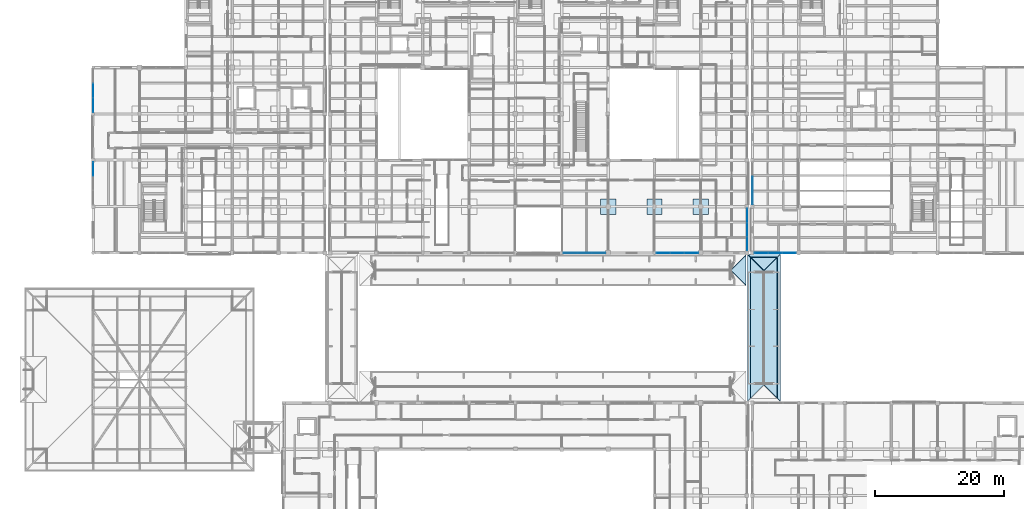
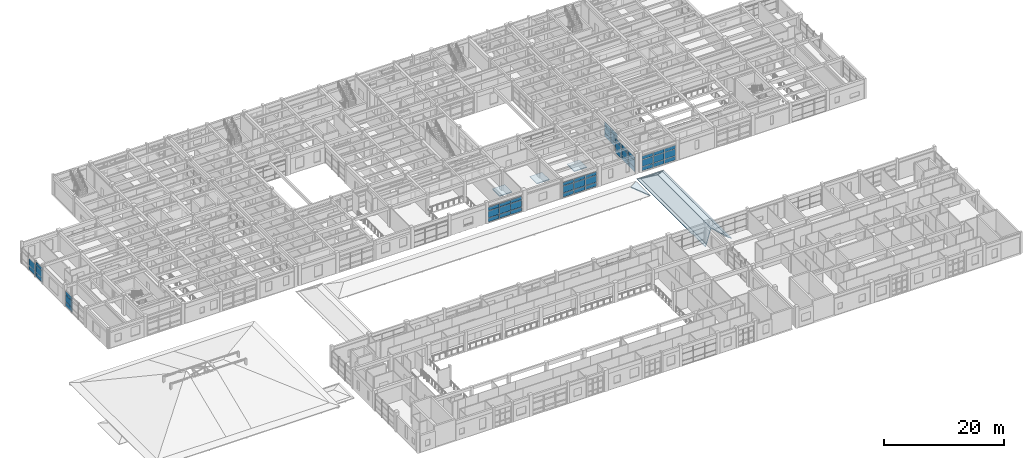
# One storey, part 63 of 110: 50 plates, 10 slabs, 9 elements without a shape of their own.
"""IFC4 building model written with IfcOpenShell, lengths in metres."""

from ifc_helpers import new_model, si_unit, direction, frame, origin, origin_2d, place, context, subcontext, project, spatial, polyline, rectangle, outline, extrude, material, layer, layer_set, type_object, element, aggregate, save


model = new_model("IFC4")

# Units and contexts
model_context = context("Model", 3, precision=1e-05, world=origin(), true_north=direction((0.0, 1.0)))
body_context = subcontext(model_context, "Body", "Model", "MODEL_VIEW")
ifc_project = project(units=[si_unit("LENGTHUNIT", "METRE"), si_unit("AREAUNIT", "SQUARE_METRE"), si_unit("VOLUMEUNIT", "CUBIC_METRE"), si_unit("PLANEANGLEUNIT", "RADIAN"), si_unit("MASSUNIT", "GRAM", prefix="KILO")], contexts=[model_context])

# Site, building, storey
site_placement = place(None, origin())
site = spatial("IfcSite", under=ifc_project, at=site_placement, CompositionType="ELEMENT")
building_placement = place(site_placement, origin())
building = spatial("IfcBuilding", under=site, at=building_placement, Name="Steenspoor Specialist Clinic", CompositionType="ELEMENT")
storey_placement = place(building_placement, frame((0.0, 0.0, 4.800048828125)))
storey = spatial("IfcBuildingStorey", under=building, at=storey_placement, Name="L01", CompositionType="ELEMENT", Elevation=4.800048828125)

# Curtain wall, plates
ifc_material_1 = material(Name="Thermally broken aluminium and low-emissivity glass", Category="aluminium")
curtain_wall_type_1 = type_object("IfcCurtainWallType", Name="CW-WLK-520X340", PredefinedType="USERDEFINED", material=ifc_material_1)
curtain_wall_1_placement = place(storey_placement, origin())
curtain_wall_1 = element("IfcCurtainWall", 1, at=curtain_wall_1_placement, inside=storey, type_object=curtain_wall_type_1, Name="Unitised Curtain Wall CW-V5-L01-141", ObjectType="UNITISED GLAZING", PredefinedType="USERDEFINED")
ifc_material_2 = material(Name="Double low-emissivity insulated glass", Category="glass")
ifc_layer_1 = layer(ifc_material_2, 0.035888671875)
ifc_layer_set_1 = layer_set([ifc_layer_1], Name="Double low-emissivity insulated glass")
plate_type_1 = type_object("IfcPlateType", Name="CW-PAN-GL36", PredefinedType="CURTAIN_PANEL", material=ifc_layer_set_1)
plate_1_placement = place(storey_placement, frame((15.60009765625, 78.171142578125, 0.070068359375), z_axis=(0.0, 0.0, 1.0), x_axis=(0.0, 1.0, 0.0)))
plate_1 = element("IfcPlate", 2, at=plate_1_placement, type_object=plate_type_1, Name="CW-21 panel 3.1", PredefinedType="CURTAIN_PANEL", context=body_context, shape_type="SweptSolid", body=[
    extrude(rectangle(XDim=2.12744140625, YDim=0.035888671875, at=origin_2d()), origin(), (0.0, 0.0, 1.0), 0.794921875),
])
plate_2_placement = place(storey_placement, frame((15.60009765625, 78.171142578125, 0.93505859375), z_axis=(0.0, 0.0, 1.0), x_axis=(0.0, 1.0, 0.0)))
plate_2 = element("IfcPlate", 3, at=plate_2_placement, type_object=plate_type_1, Name="CW-21 panel 3.2", PredefinedType="CURTAIN_PANEL", context=body_context, shape_type="SweptSolid", body=[
    extrude(rectangle(XDim=2.12744140625, YDim=0.035888671875, at=origin_2d()), origin(), (0.0, 0.0, 1.0), 1.3798828125),
])
plate_3_placement = place(storey_placement, frame((15.60009765625, 78.171142578125, 2.384765625), z_axis=(0.0, 0.0, 1.0), x_axis=(0.0, 1.0, 0.0)))
plate_3 = element("IfcPlate", 4, at=plate_3_placement, type_object=plate_type_1, Name="CW-21 panel 3.3", PredefinedType="CURTAIN_PANEL", context=body_context, shape_type="SweptSolid", body=[
    extrude(rectangle(XDim=2.12744140625, YDim=0.035888671875, at=origin_2d()), origin(), (0.0, 0.0, 1.0), 0.675048828125),
])
aggregate(curtain_wall_1, [plate_1, plate_2, plate_3])

curtain_wall_type_2 = type_object("IfcCurtainWallType", Name="CW-TYP-420X355", PredefinedType="USERDEFINED", material=ifc_material_1)
curtain_wall_2_placement = place(storey_placement, origin())
curtain_wall_2 = element("IfcCurtainWall", 5, at=curtain_wall_2_placement, inside=storey, type_object=curtain_wall_type_2, Name="Unitised Curtain Wall CW-V4-L01-061", ObjectType="UNITISED GLAZING", PredefinedType="USERDEFINED")
ifc_material_3 = material(Name="Triple acoustic laminated low-emissivity glass", Category="glass")
ifc_layer_2 = layer(ifc_material_3, 0.048095703125)
ifc_layer_set_2 = layer_set([ifc_layer_2], Name="Triple acoustic laminated low-emissivity glass")
plate_type_2 = type_object("IfcPlateType", Name="CW-PAN-GL48", PredefinedType="CURTAIN_PANEL", material=ifc_layer_set_2)
plate_4_placement = place(storey_placement, frame((108.530029296875, 65.14990234375, 0.070068359375), z_axis=(0.0, 0.0, 1.0), x_axis=(-1.0, 0.0, 0.0)))
plate_4 = element("IfcPlate", 6, at=plate_4_placement, type_object=plate_type_2, Name="CW-13 panel 1.1", PredefinedType="CURTAIN_PANEL", context=body_context, shape_type="SweptSolid", body=[
    extrude(rectangle(XDim=2.080078125, YDim=0.048095703125, at=origin_2d()), origin(), (0.0, 0.0, 1.0), 0.794921875),
])
plate_5_placement = place(storey_placement, frame((108.530029296875, 65.14990234375, 0.93505859375), z_axis=(0.0, 0.0, 1.0), x_axis=(-1.0, 0.0, 0.0)))
plate_5 = element("IfcPlate", 7, at=plate_5_placement, type_object=plate_type_2, Name="CW-13 panel 1.2", PredefinedType="CURTAIN_PANEL", context=body_context, shape_type="SweptSolid", body=[
    extrude(rectangle(XDim=2.080078125, YDim=0.048095703125, at=origin_2d()), origin(), (0.0, 0.0, 1.0), 1.3798828125),
])
plate_6_placement = place(storey_placement, frame((108.530029296875, 65.14990234375, 2.384765625), z_axis=(0.0, 0.0, 1.0), x_axis=(-1.0, 0.0, 0.0)))
plate_6 = element("IfcPlate", 8, at=plate_6_placement, type_object=plate_type_2, Name="CW-13 panel 1.3", PredefinedType="CURTAIN_PANEL", context=body_context, shape_type="SweptSolid", body=[
    extrude(rectangle(XDim=2.080078125, YDim=0.048095703125, at=origin_2d()), origin(), (0.0, 0.0, 1.0), 0.675048828125),
])
plate_7_placement = place(storey_placement, frame((106.35009765625, 65.14990234375, 0.070068359375), z_axis=(0.0, 0.0, 1.0), x_axis=(-1.0, 0.0, 0.0)))
plate_7 = element("IfcPlate", 9, at=plate_7_placement, type_object=plate_type_2, Name="CW-13 panel 2.1", PredefinedType="CURTAIN_PANEL", context=body_context, shape_type="SweptSolid", body=[
    extrude(rectangle(XDim=2.1201171875, YDim=0.048095703125, at=origin_2d()), origin(), (0.0, 0.0, 1.0), 0.794921875),
])
plate_8_placement = place(storey_placement, frame((106.35009765625, 65.14990234375, 0.93505859375), z_axis=(0.0, 0.0, 1.0), x_axis=(-1.0, 0.0, 0.0)))
plate_8 = element("IfcPlate", 10, at=plate_8_placement, type_object=plate_type_2, Name="CW-13 panel 2.2", PredefinedType="CURTAIN_PANEL", context=body_context, shape_type="SweptSolid", body=[
    extrude(rectangle(XDim=2.1201171875, YDim=0.048095703125, at=origin_2d()), origin(), (0.0, 0.0, 1.0), 1.3798828125),
])
plate_9_placement = place(storey_placement, frame((106.35009765625, 65.14990234375, 2.384765625), z_axis=(0.0, 0.0, 1.0), x_axis=(-1.0, 0.0, 0.0)))
plate_9 = element("IfcPlate", 11, at=plate_9_placement, type_object=plate_type_2, Name="CW-13 panel 2.3", PredefinedType="CURTAIN_PANEL", context=body_context, shape_type="SweptSolid", body=[
    extrude(rectangle(XDim=2.1201171875, YDim=0.048095703125, at=origin_2d()), origin(), (0.0, 0.0, 1.0), 0.675048828125),
])
plate_10_placement = place(storey_placement, frame((104.169921875, 65.14990234375, 0.070068359375), z_axis=(0.0, 0.0, 1.0), x_axis=(-1.0, 0.0, 0.0)))
plate_10 = element("IfcPlate", 12, at=plate_10_placement, type_object=plate_type_2, Name="CW-13 panel 3.1", PredefinedType="CURTAIN_PANEL", context=body_context, shape_type="SweptSolid", body=[
    extrude(rectangle(XDim=2.080078125, YDim=0.048095703125, at=origin_2d()), origin(), (0.0, 0.0, 1.0), 0.794921875),
])
plate_11_placement = place(storey_placement, frame((104.169921875, 65.14990234375, 0.93505859375), z_axis=(0.0, 0.0, 1.0), x_axis=(-1.0, 0.0, 0.0)))
plate_11 = element("IfcPlate", 13, at=plate_11_placement, type_object=plate_type_2, Name="CW-13 panel 3.2", PredefinedType="CURTAIN_PANEL", context=body_context, shape_type="SweptSolid", body=[
    extrude(rectangle(XDim=2.080078125, YDim=0.048095703125, at=origin_2d()), origin(), (0.0, 0.0, 1.0), 1.3798828125),
])
plate_12_placement = place(storey_placement, frame((104.169921875, 65.14990234375, 2.384765625), z_axis=(0.0, 0.0, 1.0), x_axis=(-1.0, 0.0, 0.0)))
plate_12 = element("IfcPlate", 14, at=plate_12_placement, type_object=plate_type_2, Name="CW-13 panel 3.3", PredefinedType="CURTAIN_PANEL", context=body_context, shape_type="SweptSolid", body=[
    extrude(rectangle(XDim=2.080078125, YDim=0.048095703125, at=origin_2d()), origin(), (0.0, 0.0, 1.0), 0.675048828125),
])
aggregate(curtain_wall_2, [plate_4, plate_5, plate_6, plate_7, plate_8, plate_9, plate_10, plate_11, plate_12])

curtain_wall_type_3 = type_object("IfcCurtainWallType", Name="CW-HALL-660X820", PredefinedType="USERDEFINED", material=ifc_material_1)
curtain_wall_3_placement = place(storey_placement, origin())
curtain_wall_3 = element("IfcCurtainWall", 15, at=curtain_wall_3_placement, inside=storey, type_object=curtain_wall_type_3, Name="Unitised Curtain Wall CW-V4-L01-073", ObjectType="UNITISED GLAZING", PredefinedType="USERDEFINED")
plate_13_placement = place(storey_placement, frame((117.199951171875, 70.929931640625, 0.059814453125), z_axis=(0.0, 0.0, 1.0), x_axis=(0.0, -1.0, 0.0)))
plate_13 = element("IfcPlate", 16, at=plate_13_placement, type_object=plate_type_2, Name="CW-01 panel 1.1", PredefinedType="CURTAIN_PANEL", context=body_context, shape_type="SweptSolid", body=[
    extrude(rectangle(XDim=2.080078125, YDim=0.048095703125, at=origin_2d()), origin(), (0.0, 0.0, 1.0), 0.81005859375),
])
plate_14_placement = place(storey_placement, frame((117.199951171875, 70.929931640625, 0.93017578125), z_axis=(0.0, 0.0, 1.0), x_axis=(0.0, -1.0, 0.0)))
plate_14 = element("IfcPlate", 17, at=plate_14_placement, type_object=plate_type_2, Name="CW-01 panel 1.2", PredefinedType="CURTAIN_PANEL", context=body_context, shape_type="SweptSolid", body=[
    extrude(rectangle(XDim=2.080078125, YDim=0.048095703125, at=origin_2d()), origin(), (0.0, 0.0, 1.0), 1.389892578125),
])
plate_15_placement = place(storey_placement, frame((117.199951171875, 70.929931640625, 2.3798828125), z_axis=(0.0, 0.0, 1.0), x_axis=(0.0, -1.0, 0.0)))
plate_15 = element("IfcPlate", 18, at=plate_15_placement, type_object=plate_type_2, Name="CW-01 panel 1.3", PredefinedType="CURTAIN_PANEL", context=body_context, shape_type="SweptSolid", body=[
    extrude(rectangle(XDim=2.080078125, YDim=0.048095703125, at=origin_2d()), origin(), (0.0, 0.0, 1.0), 0.68994140625),
])
plate_16_placement = place(storey_placement, frame((117.199951171875, 68.75, 0.059814453125), z_axis=(0.0, 0.0, 1.0), x_axis=(0.0, -1.0, 0.0)))
plate_16 = element("IfcPlate", 19, at=plate_16_placement, type_object=plate_type_2, Name="CW-01 panel 2.1", PredefinedType="CURTAIN_PANEL", context=body_context, shape_type="SweptSolid", body=[
    extrude(rectangle(XDim=2.1201171875, YDim=0.048095703125, at=origin_2d()), origin(), (0.0, 0.0, 1.0), 0.81005859375),
])
plate_17_placement = place(storey_placement, frame((117.199951171875, 68.75, 0.93017578125), z_axis=(0.0, 0.0, 1.0), x_axis=(0.0, -1.0, 0.0)))
plate_17 = element("IfcPlate", 20, at=plate_17_placement, type_object=plate_type_2, Name="CW-01 panel 2.2", PredefinedType="CURTAIN_PANEL", context=body_context, shape_type="SweptSolid", body=[
    extrude(rectangle(XDim=2.1201171875, YDim=0.048095703125, at=origin_2d()), origin(), (0.0, 0.0, 1.0), 1.389892578125),
])
plate_18_placement = place(storey_placement, frame((117.199951171875, 68.75, 2.3798828125), z_axis=(0.0, 0.0, 1.0), x_axis=(0.0, -1.0, 0.0)))
plate_18 = element("IfcPlate", 21, at=plate_18_placement, type_object=plate_type_2, Name="CW-01 panel 2.3", PredefinedType="CURTAIN_PANEL", context=body_context, shape_type="SweptSolid", body=[
    extrude(rectangle(XDim=2.1201171875, YDim=0.048095703125, at=origin_2d()), origin(), (0.0, 0.0, 1.0), 0.68994140625),
])
plate_19_placement = place(storey_placement, frame((117.199951171875, 66.570068359375, 0.059814453125), z_axis=(0.0, 0.0, 1.0), x_axis=(0.0, -1.0, 0.0)))
plate_19 = element("IfcPlate", 22, at=plate_19_placement, type_object=plate_type_2, Name="CW-01 panel 3.1", PredefinedType="CURTAIN_PANEL", context=body_context, shape_type="SweptSolid", body=[
    extrude(rectangle(XDim=2.080078125, YDim=0.048095703125, at=origin_2d()), origin(), (0.0, 0.0, 1.0), 0.81005859375),
])
plate_20_placement = place(storey_placement, frame((117.199951171875, 66.570068359375, 0.93017578125), z_axis=(0.0, 0.0, 1.0), x_axis=(0.0, -1.0, 0.0)))
plate_20 = element("IfcPlate", 23, at=plate_20_placement, type_object=plate_type_2, Name="CW-01 panel 3.2", PredefinedType="CURTAIN_PANEL", context=body_context, shape_type="SweptSolid", body=[
    extrude(rectangle(XDim=2.080078125, YDim=0.048095703125, at=origin_2d()), origin(), (0.0, 0.0, 1.0), 1.389892578125),
])
plate_21_placement = place(storey_placement, frame((117.199951171875, 66.570068359375, 2.3798828125), z_axis=(0.0, 0.0, 1.0), x_axis=(0.0, -1.0, 0.0)))
plate_21 = element("IfcPlate", 24, at=plate_21_placement, type_object=plate_type_2, Name="CW-01 panel 3.3", PredefinedType="CURTAIN_PANEL", context=body_context, shape_type="SweptSolid", body=[
    extrude(rectangle(XDim=2.080078125, YDim=0.048095703125, at=origin_2d()), origin(), (0.0, 0.0, 1.0), 0.68994140625),
])
aggregate(curtain_wall_3, [plate_13, plate_14, plate_15, plate_16, plate_17, plate_18, plate_19, plate_20, plate_21])

curtain_wall_type_4 = type_object("IfcCurtainWallType", Name="CW-WLK-360X340", PredefinedType="USERDEFINED", material=ifc_material_1)
curtain_wall_4_placement = place(storey_placement, origin())
curtain_wall_4 = element("IfcCurtainWall", 25, at=curtain_wall_4_placement, inside=storey, type_object=curtain_wall_type_4, Name="Unitised Curtain Wall CW-V5-L01-142", ObjectType="UNITISED GLAZING", PredefinedType="USERDEFINED")
plate_22_placement = place(storey_placement, frame((15.60009765625, 88.119140625, 0.06494140625), z_axis=(0.0, 0.0, 1.0), x_axis=(0.0, 1.0, 0.0)))
plate_22 = element("IfcPlate", 26, at=plate_22_placement, type_object=plate_type_2, Name="CW-22 panel 1.1", PredefinedType="CURTAIN_PANEL", context=body_context, shape_type="SweptSolid", body=[
    extrude(rectangle(XDim=2.168212890625, YDim=0.048095703125, at=origin_2d()), origin(), (0.0, 0.0, 1.0), 0.802490234375),
])
plate_23_placement = place(storey_placement, frame((15.60009765625, 88.119140625, 0.9326171875), z_axis=(0.0, 0.0, 1.0), x_axis=(0.0, 1.0, 0.0)))
plate_23 = element("IfcPlate", 27, at=plate_23_placement, type_object=plate_type_2, Name="CW-22 panel 1.2", PredefinedType="CURTAIN_PANEL", context=body_context, shape_type="SweptSolid", body=[
    extrude(rectangle(XDim=2.168212890625, YDim=0.048095703125, at=origin_2d()), origin(), (0.0, 0.0, 1.0), 1.385009765625),
])
plate_24_placement = place(storey_placement, frame((15.60009765625, 88.119140625, 2.38232421875), z_axis=(0.0, 0.0, 1.0), x_axis=(0.0, 1.0, 0.0)))
plate_24 = element("IfcPlate", 28, at=plate_24_placement, type_object=plate_type_2, Name="CW-22 panel 1.3", PredefinedType="CURTAIN_PANEL", context=body_context, shape_type="SweptSolid", body=[
    extrude(rectangle(XDim=2.168212890625, YDim=0.048095703125, at=origin_2d()), origin(), (0.0, 0.0, 1.0), 0.6826171875),
])
plate_25_placement = place(storey_placement, frame((15.60009765625, 90.362548828125, 0.06494140625), z_axis=(0.0, 0.0, 1.0), x_axis=(0.0, 1.0, 0.0)))
plate_25 = element("IfcPlate", 29, at=plate_25_placement, type_object=plate_type_2, Name="CW-22 panel 2.1", PredefinedType="CURTAIN_PANEL", context=body_context, shape_type="SweptSolid", body=[
    extrude(rectangle(XDim=2.1982421875, YDim=0.048095703125, at=origin_2d()), origin(), (0.0, 0.0, 1.0), 0.802490234375),
])
plate_26_placement = place(storey_placement, frame((15.60009765625, 90.362548828125, 0.9326171875), z_axis=(0.0, 0.0, 1.0), x_axis=(0.0, 1.0, 0.0)))
plate_26 = element("IfcPlate", 30, at=plate_26_placement, type_object=plate_type_2, Name="CW-22 panel 2.2", PredefinedType="CURTAIN_PANEL", context=body_context, shape_type="SweptSolid", body=[
    extrude(rectangle(XDim=2.1982421875, YDim=0.048095703125, at=origin_2d()), origin(), (0.0, 0.0, 1.0), 1.385009765625),
])
aggregate(curtain_wall_4, [plate_22, plate_23, plate_24, plate_25, plate_26])

curtain_wall_type_5 = type_object("IfcCurtainWallType", Name="CW-L00-360X415", PredefinedType="USERDEFINED", material=ifc_material_1)
curtain_wall_5_placement = place(storey_placement, origin())
curtain_wall_5 = element("IfcCurtainWall", 31, at=curtain_wall_5_placement, inside=storey, type_object=curtain_wall_type_5, Name="Unitised Curtain Wall CW-V6-L01-175", ObjectType="UNITISED GLAZING", PredefinedType="USERDEFINED")
plate_27_placement = place(storey_placement, frame((123.73828125, 65.14990234375, 0.080078125), z_axis=(0.0, 0.0, 1.0), x_axis=(-1.0, 0.0, 0.0)))
plate_27 = element("IfcPlate", 32, at=plate_27_placement, type_object=plate_type_2, Name="CW-07 panel 1.1", PredefinedType="CURTAIN_PANEL", context=body_context, shape_type="SweptSolid", body=[
    extrude(rectangle(XDim=2.063232421875, YDim=0.048095703125, at=origin_2d()), origin(), (0.0, 0.0, 1.0), 0.780029296875),
])
plate_28_placement = place(storey_placement, frame((123.73828125, 65.14990234375, 0.93994140625), z_axis=(0.0, 0.0, 1.0), x_axis=(-1.0, 0.0, 0.0)))
plate_28 = element("IfcPlate", 33, at=plate_28_placement, type_object=plate_type_2, Name="CW-07 panel 1.2", PredefinedType="CURTAIN_PANEL", context=body_context, shape_type="SweptSolid", body=[
    extrude(rectangle(XDim=2.063232421875, YDim=0.048095703125, at=origin_2d()), origin(), (0.0, 0.0, 1.0), 1.3701171875),
])
plate_29_placement = place(storey_placement, frame((123.73828125, 65.14990234375, 2.39013671875), z_axis=(0.0, 0.0, 1.0), x_axis=(-1.0, 0.0, 0.0)))
plate_29 = element("IfcPlate", 34, at=plate_29_placement, type_object=plate_type_2, Name="CW-07 panel 1.3", PredefinedType="CURTAIN_PANEL", context=body_context, shape_type="SweptSolid", body=[
    extrude(rectangle(XDim=2.063232421875, YDim=0.048095703125, at=origin_2d()), origin(), (0.0, 0.0, 1.0), 0.659912109375),
])
plate_30_placement = place(storey_placement, frame((121.574951171875, 65.14990234375, 0.080078125), z_axis=(0.0, 0.0, 1.0), x_axis=(-1.0, 0.0, 0.0)))
plate_30 = element("IfcPlate", 35, at=plate_30_placement, type_object=plate_type_2, Name="CW-07 panel 2.1", PredefinedType="CURTAIN_PANEL", context=body_context, shape_type="SweptSolid", body=[
    extrude(rectangle(XDim=2.103271484375, YDim=0.048095703125, at=origin_2d()), origin(), (0.0, 0.0, 1.0), 0.780029296875),
])
plate_31_placement = place(storey_placement, frame((121.574951171875, 65.14990234375, 0.93994140625), z_axis=(0.0, 0.0, 1.0), x_axis=(-1.0, 0.0, 0.0)))
plate_31 = element("IfcPlate", 36, at=plate_31_placement, type_object=plate_type_2, Name="CW-07 panel 2.2", PredefinedType="CURTAIN_PANEL", context=body_context, shape_type="SweptSolid", body=[
    extrude(rectangle(XDim=2.103271484375, YDim=0.048095703125, at=origin_2d()), origin(), (0.0, 0.0, 1.0), 1.3701171875),
])
plate_32_placement = place(storey_placement, frame((121.574951171875, 65.14990234375, 2.39013671875), z_axis=(0.0, 0.0, 1.0), x_axis=(-1.0, 0.0, 0.0)))
plate_32 = element("IfcPlate", 37, at=plate_32_placement, type_object=plate_type_2, Name="CW-07 panel 2.3", PredefinedType="CURTAIN_PANEL", context=body_context, shape_type="SweptSolid", body=[
    extrude(rectangle(XDim=2.103271484375, YDim=0.048095703125, at=origin_2d()), origin(), (0.0, 0.0, 1.0), 0.659912109375),
])
plate_33_placement = place(storey_placement, frame((119.41162109375, 65.14990234375, 0.080078125), z_axis=(0.0, 0.0, 1.0), x_axis=(-1.0, 0.0, 0.0)))
plate_33 = element("IfcPlate", 38, at=plate_33_placement, type_object=plate_type_2, Name="CW-07 panel 3.1", PredefinedType="CURTAIN_PANEL", context=body_context, shape_type="SweptSolid", body=[
    extrude(rectangle(XDim=2.063232421875, YDim=0.048095703125, at=origin_2d()), origin(), (0.0, 0.0, 1.0), 0.780029296875),
])
plate_34_placement = place(storey_placement, frame((119.41162109375, 65.14990234375, 0.93994140625), z_axis=(0.0, 0.0, 1.0), x_axis=(-1.0, 0.0, 0.0)))
plate_34 = element("IfcPlate", 39, at=plate_34_placement, type_object=plate_type_2, Name="CW-07 panel 3.2", PredefinedType="CURTAIN_PANEL", context=body_context, shape_type="SweptSolid", body=[
    extrude(rectangle(XDim=2.063232421875, YDim=0.048095703125, at=origin_2d()), origin(), (0.0, 0.0, 1.0), 1.3701171875),
])
plate_35_placement = place(storey_placement, frame((119.41162109375, 65.14990234375, 2.39013671875), z_axis=(0.0, 0.0, 1.0), x_axis=(-1.0, 0.0, 0.0)))
plate_35 = element("IfcPlate", 40, at=plate_35_placement, type_object=plate_type_2, Name="CW-07 panel 3.3", PredefinedType="CURTAIN_PANEL", context=body_context, shape_type="SweptSolid", body=[
    extrude(rectangle(XDim=2.063232421875, YDim=0.048095703125, at=origin_2d()), origin(), (0.0, 0.0, 1.0), 0.659912109375),
])
aggregate(curtain_wall_5, [plate_27, plate_28, plate_29, plate_30, plate_31, plate_32, plate_33, plate_34, plate_35])

curtain_wall_type_6 = type_object("IfcCurtainWallType", Name="CW-TYP-360X355", PredefinedType="USERDEFINED", material=ifc_material_1)
curtain_wall_6_placement = place(storey_placement, origin())
curtain_wall_6 = element("IfcCurtainWall", 41, at=curtain_wall_6_placement, inside=storey, type_object=curtain_wall_type_6, Name="Unitised Curtain Wall CW-V4-L01-062", ObjectType="UNITISED GLAZING", PredefinedType="USERDEFINED")
ifc_material_4 = material(Name="Insulated glazed ceramic spandrel panel", Category="glass")
ifc_layer_3 = layer(ifc_material_4, 0.074951171875)
ifc_layer_set_3 = layer_set([ifc_layer_3], Name="Insulated glazed ceramic spandrel panel")
plate_type_3 = type_object("IfcPlateType", Name="CW-PAN-SP75", PredefinedType="CURTAIN_PANEL", material=ifc_layer_set_3)
plate_36_placement = place(storey_placement, frame((94.111572265625, 65.14990234375, 0.06494140625), z_axis=(0.0, 0.0, 1.0), x_axis=(-1.0, 0.0, 0.0)))
plate_36 = element("IfcPlate", 42, at=plate_36_placement, type_object=plate_type_3, Name="CW-14 panel 1.1", PredefinedType="CURTAIN_PANEL", context=body_context, shape_type="SweptSolid", body=[
    extrude(rectangle(XDim=2.086669921875, YDim=0.074951171875, at=origin_2d()), origin(), (0.0, 0.0, 1.0), 0.802490234375),
])
plate_37_placement = place(storey_placement, frame((94.111572265625, 65.14990234375, 0.9326171875), z_axis=(0.0, 0.0, 1.0), x_axis=(-1.0, 0.0, 0.0)))
plate_37 = element("IfcPlate", 43, at=plate_37_placement, type_object=plate_type_3, Name="CW-14 panel 1.2", PredefinedType="CURTAIN_PANEL", context=body_context, shape_type="SweptSolid", body=[
    extrude(rectangle(XDim=2.086669921875, YDim=0.074951171875, at=origin_2d()), origin(), (0.0, 0.0, 1.0), 1.385009765625),
])
plate_38_placement = place(storey_placement, frame((94.111572265625, 65.14990234375, 2.38232421875), z_axis=(0.0, 0.0, 1.0), x_axis=(-1.0, 0.0, 0.0)))
plate_38 = element("IfcPlate", 44, at=plate_38_placement, type_object=plate_type_3, Name="CW-14 panel 1.3", PredefinedType="CURTAIN_PANEL", context=body_context, shape_type="SweptSolid", body=[
    extrude(rectangle(XDim=2.086669921875, YDim=0.074951171875, at=origin_2d()), origin(), (0.0, 0.0, 1.0), 0.6826171875),
])
plate_39_placement = place(storey_placement, frame((91.9375, 65.14990234375, 0.06494140625), z_axis=(0.0, 0.0, 1.0), x_axis=(-1.0, 0.0, 0.0)))
plate_39 = element("IfcPlate", 45, at=plate_39_placement, type_object=plate_type_3, Name="CW-14 panel 2.1", PredefinedType="CURTAIN_PANEL", context=body_context, shape_type="SweptSolid", body=[
    extrude(rectangle(XDim=2.12158203125, YDim=0.074951171875, at=origin_2d()), origin(), (0.0, 0.0, 1.0), 0.802490234375),
])
plate_40_placement = place(storey_placement, frame((91.9375, 65.14990234375, 0.9326171875), z_axis=(0.0, 0.0, 1.0), x_axis=(-1.0, 0.0, 0.0)))
plate_40 = element("IfcPlate", 46, at=plate_40_placement, type_object=plate_type_3, Name="CW-14 panel 2.2", PredefinedType="CURTAIN_PANEL", context=body_context, shape_type="SweptSolid", body=[
    extrude(rectangle(XDim=2.12158203125, YDim=0.074951171875, at=origin_2d()), origin(), (0.0, 0.0, 1.0), 1.385009765625),
])
plate_41_placement = place(storey_placement, frame((91.9375, 65.14990234375, 2.38232421875), z_axis=(0.0, 0.0, 1.0), x_axis=(-1.0, 0.0, 0.0)))
plate_41 = element("IfcPlate", 47, at=plate_41_placement, type_object=plate_type_3, Name="CW-14 panel 2.3", PredefinedType="CURTAIN_PANEL", context=body_context, shape_type="SweptSolid", body=[
    extrude(rectangle(XDim=2.12158203125, YDim=0.074951171875, at=origin_2d()), origin(), (0.0, 0.0, 1.0), 0.6826171875),
])
plate_42_placement = place(storey_placement, frame((89.763427734375, 65.14990234375, 0.06494140625), z_axis=(0.0, 0.0, 1.0), x_axis=(-1.0, 0.0, 0.0)))
plate_42 = element("IfcPlate", 48, at=plate_42_placement, type_object=plate_type_3, Name="CW-14 panel 3.1", PredefinedType="CURTAIN_PANEL", context=body_context, shape_type="SweptSolid", body=[
    extrude(rectangle(XDim=2.086669921875, YDim=0.074951171875, at=origin_2d()), origin(), (0.0, 0.0, 1.0), 0.802490234375),
])
plate_43_placement = place(storey_placement, frame((89.763427734375, 65.14990234375, 0.9326171875), z_axis=(0.0, 0.0, 1.0), x_axis=(-1.0, 0.0, 0.0)))
plate_43 = element("IfcPlate", 49, at=plate_43_placement, type_object=plate_type_3, Name="CW-14 panel 3.2", PredefinedType="CURTAIN_PANEL", context=body_context, shape_type="SweptSolid", body=[
    extrude(rectangle(XDim=2.086669921875, YDim=0.074951171875, at=origin_2d()), origin(), (0.0, 0.0, 1.0), 1.385009765625),
])
plate_44_placement = place(storey_placement, frame((89.763427734375, 65.14990234375, 2.38232421875), z_axis=(0.0, 0.0, 1.0), x_axis=(-1.0, 0.0, 0.0)))
plate_44 = element("IfcPlate", 50, at=plate_44_placement, type_object=plate_type_3, Name="CW-14 panel 3.3", PredefinedType="CURTAIN_PANEL", context=body_context, shape_type="SweptSolid", body=[
    extrude(rectangle(XDim=2.086669921875, YDim=0.074951171875, at=origin_2d()), origin(), (0.0, 0.0, 1.0), 0.6826171875),
])
aggregate(curtain_wall_6, [plate_36, plate_37, plate_38, plate_39, plate_40, plate_41, plate_42, plate_43, plate_44])

curtain_wall_type_7 = type_object("IfcCurtainWallType", Name="CW-L00-240X415", PredefinedType="USERDEFINED", material=ifc_material_1)
curtain_wall_7_placement = place(storey_placement, origin())
curtain_wall_7 = element("IfcCurtainWall", 51, at=curtain_wall_7_placement, inside=storey, type_object=curtain_wall_type_7, Name="Unitised Curtain Wall CW-V6-L01-176", ObjectType="UNITISED GLAZING", PredefinedType="USERDEFINED")
plate_45_placement = place(storey_placement, frame((118.0, 73.767578125, 0.070068359375), z_axis=(0.0, 0.0, 1.0), x_axis=(0.0, 1.0, 0.0)))
plate_45 = element("IfcPlate", 52, at=plate_45_placement, type_object=plate_type_3, Name="CW-08 panel 1.1", PredefinedType="CURTAIN_PANEL", context=body_context, shape_type="SweptSolid", body=[
    extrude(rectangle(XDim=2.094970703125, YDim=0.074951171875, at=origin_2d()), origin(), (0.0, 0.0, 1.0), 0.794921875),
])
plate_46_placement = place(storey_placement, frame((118.0, 73.767578125, 0.93505859375), z_axis=(0.0, 0.0, 1.0), x_axis=(0.0, 1.0, 0.0)))
plate_46 = element("IfcPlate", 53, at=plate_46_placement, type_object=plate_type_3, Name="CW-08 panel 1.2", PredefinedType="CURTAIN_PANEL", context=body_context, shape_type="SweptSolid", body=[
    extrude(rectangle(XDim=2.094970703125, YDim=0.074951171875, at=origin_2d()), origin(), (0.0, 0.0, 1.0), 1.3798828125),
])
plate_47_placement = place(storey_placement, frame((118.0, 73.767578125, 2.384765625), z_axis=(0.0, 0.0, 1.0), x_axis=(0.0, 1.0, 0.0)))
plate_47 = element("IfcPlate", 54, at=plate_47_placement, type_object=plate_type_3, Name="CW-08 panel 1.3", PredefinedType="CURTAIN_PANEL", context=body_context, shape_type="SweptSolid", body=[
    extrude(rectangle(XDim=2.094970703125, YDim=0.074951171875, at=origin_2d()), origin(), (0.0, 0.0, 1.0), 0.675048828125),
])
plate_48_placement = place(storey_placement, frame((118.0, 75.949951171875, 0.070068359375), z_axis=(0.0, 0.0, 1.0), x_axis=(0.0, 1.0, 0.0)))
plate_48 = element("IfcPlate", 55, at=plate_48_placement, type_object=plate_type_3, Name="CW-08 panel 2.1", PredefinedType="CURTAIN_PANEL", context=body_context, shape_type="SweptSolid", body=[
    extrude(rectangle(XDim=2.1298828125, YDim=0.074951171875, at=origin_2d()), origin(), (0.0, 0.0, 1.0), 0.794921875),
])
plate_49_placement = place(storey_placement, frame((118.0, 75.949951171875, 0.93505859375), z_axis=(0.0, 0.0, 1.0), x_axis=(0.0, 1.0, 0.0)))
plate_49 = element("IfcPlate", 56, at=plate_49_placement, type_object=plate_type_3, Name="CW-08 panel 2.2", PredefinedType="CURTAIN_PANEL", context=body_context, shape_type="SweptSolid", body=[
    extrude(rectangle(XDim=2.1298828125, YDim=0.074951171875, at=origin_2d()), origin(), (0.0, 0.0, 1.0), 1.3798828125),
])
plate_50_placement = place(storey_placement, frame((118.0, 75.949951171875, 2.384765625), z_axis=(0.0, 0.0, 1.0), x_axis=(0.0, 1.0, 0.0)))
plate_50 = element("IfcPlate", 57, at=plate_50_placement, type_object=plate_type_3, Name="CW-08 panel 2.3", PredefinedType="CURTAIN_PANEL", context=body_context, shape_type="SweptSolid", body=[
    extrude(rectangle(XDim=2.1298828125, YDim=0.074951171875, at=origin_2d()), origin(), (0.0, 0.0, 1.0), 0.675048828125),
])
aggregate(curtain_wall_7, [plate_45, plate_46, plate_47, plate_48, plate_49, plate_50])

# Slabs
ifc_material_5 = material(Name="Concrete C35/45", Category="concrete")
ifc_layer_4 = layer(ifc_material_5, 0.169921875)
ifc_layer_set_4 = layer_set([ifc_layer_4], Name="Concrete C35/45")
slab_type_1 = type_object("IfcSlabType", Name="SL-DROP-170", PredefinedType="USERDEFINED", material=ifc_layer_set_4)
slab_1_placement = place(storey_placement, frame((0.0, 0.0, -0.420166015625)))
element("IfcSlab", 58, at=slab_1_placement, inside=storey, type_object=slab_type_1, Name="Column Drop Panel DROP-V4-L01-031", ObjectType="DROP PANEL", PredefinedType="USERDEFINED", context=body_context, shape_type="SweptSolid", body=[
    extrude(outline(polyline([(96.800048828125, 71.14990234375), (96.800048828125, 73.550048828125), (94.39990234375, 73.550048828125), (94.39990234375, 71.14990234375), (96.800048828125, 71.14990234375)])), origin(), (0.0, 0.0, 1.0), 0.170166015625),
])
slab_2_placement = place(storey_placement, frame((0.0, 0.0, -0.420166015625)))
element("IfcSlab", 59, at=slab_2_placement, inside=storey, type_object=slab_type_1, Name="Column Drop Panel DROP-V4-L01-033", ObjectType="DROP PANEL", PredefinedType="USERDEFINED", context=body_context, shape_type="SweptSolid", body=[
    extrude(outline(polyline([(104.0, 71.14990234375), (104.0, 73.550048828125), (101.60009765625, 73.550048828125), (101.60009765625, 71.14990234375), (104.0, 71.14990234375)])), origin(), (0.0, 0.0, 1.0), 0.170166015625),
])
slab_3_placement = place(storey_placement, frame((0.0, 0.0, -0.420166015625)))
element("IfcSlab", 60, at=slab_3_placement, inside=storey, type_object=slab_type_1, Name="Column Drop Panel DROP-V4-L01-034", ObjectType="DROP PANEL", PredefinedType="USERDEFINED", context=body_context, shape_type="SweptSolid", body=[
    extrude(outline(polyline([(111.199951171875, 71.14990234375), (111.199951171875, 73.550048828125), (108.800048828125, 73.550048828125), (108.800048828125, 71.14990234375), (111.199951171875, 71.14990234375)])), origin(), (0.0, 0.0, 1.0), 0.170166015625),
])

# Roof, slabs
ifc_material_6 = material(Name="Extruded terracotta clay roof tile", Category="masonry")
roof_type = type_object("IfcRoofType", Name="ROOF-HIP-TIER", PredefinedType="HIP_ROOF", material=ifc_material_6)
roof_1_placement = place(storey_placement, origin())
roof_1 = element("IfcRoof", 61, at=roof_1_placement, inside=storey, type_object=roof_type, Name="Tiered Hipped Roof WK2", PredefinedType="HIP_ROOF")
ifc_layer_5 = layer(ifc_material_5, 0.14990234375)
ifc_layer_set_5 = layer_set([ifc_layer_5], Name="Concrete C35/45")
slab_type_2 = type_object("IfcSlabType", Name="SL-ROOF-150", PredefinedType="ROOF", material=ifc_layer_set_5)
slab_4_placement = place(storey_placement, frame((121.849609375, 64.509033203125, -0.89013671875), z_axis=(0.0, 0.241777034717, 0.970331832665), x_axis=(0.696380618666, 0.696380618666, -0.173516765448)))
slab_4 = element("IfcSlab", 62, at=slab_4_placement, type_object=slab_type_2, Name="Hipped Roof Slab RSLAB-WK2-SKN", PredefinedType="ROOF", context=body_context, shape_type="SweptSolid", body=[
    extrude(outline(polyline([(0.0, 0.0), (0.6331565769225402, -1.3877787807814457e-17), (-2.835655376849423, 3.5748718500189085), (-2.854548483253995, 2.941827101985859), (0.0, 0.0)])), origin(), (0.0, 0.0, -1.0), 0.14990234375),
])
slab_5_placement = place(storey_placement, frame((117.69091796875, 64.44970703125, -0.89013671875), z_axis=(-0.241777034717, 0.0, 0.970331832665), x_axis=(-0.696380618666, 0.696380618666, -0.173516765448)))
slab_5 = element("IfcSlab", 63, at=slab_5_placement, type_object=slab_type_2, Name="Hipped Roof Slab RSLAB-WK2-SKW", PredefinedType="ROOF", context=body_context, shape_type="SweptSolid", body=[
    extrude(outline(polyline([(0.0, 0.0), (0.6331565769225402, -1.3877787807814457e-17), (-15.231264392070718, 16.34948007983946), (-15.250327513274769, 15.71661054485596), (0.0, 0.0)])), origin(), (0.0, 0.0, -1.0), 0.14990234375),
])
slab_6_placement = place(storey_placement, frame((121.908935546875, 42.55029296875, -0.89013671875), z_axis=(0.241651049809, 0.0, 0.970363215567), x_axis=(0.696579139828, -0.696193650542, -0.173470178707)))
slab_6 = element("IfcSlab", 64, at=slab_6_placement, type_object=slab_type_2, Name="Hipped Roof Slab RSLAB-WK2-SKE", PredefinedType="ROOF", context=body_context, shape_type="SweptSolid", body=[
    extrude(outline(polyline([(0.0, 0.0), (0.6333266159588132, 4.5102810375396984e-17), (-15.226834985459131, 16.353612002839245), (-15.246233020910383, 15.72058252587749), (0.0, 0.0)])), origin(), (0.0, 0.0, -1.0), 0.14990234375),
])
slab_7_placement = place(storey_placement, frame((117.708984375, 42.568359375, -0.882080078125), z_axis=(-0.537233079145, 0.0, 0.8434338259), x_axis=(0.644729748907, 0.644729748907, 0.410666655267)))
slab_7 = element("IfcSlab", 65, at=slab_7_placement, type_object=slab_type_2, Name="Hipped Roof Slab RSLAB-WK2-W", PredefinedType="ROOF", context=body_context, shape_type="SweptSolid", body=[
    extrude(outline(polyline([(0.0, 0.0), (3.1781878672395516, 1.1102230246251565e-16), (14.631900003219833, 13.579858649558085), (14.095907830598167, 16.712523730660276), (0.0, 0.0)])), origin(), (0.0, 0.0, -1.0), 0.14990234375),
])
slab_8_placement = place(storey_placement, frame((121.89111328125, 64.431640625, -0.882080078125), z_axis=(0.537233079145, 0.0, 0.8434338259), x_axis=(-0.644729748907, -0.644729748907, 0.410666655267)))
slab_8 = element("IfcSlab", 66, at=slab_8_placement, type_object=slab_type_2, Name="Hipped Roof Slab RSLAB-WK2-E", PredefinedType="ROOF", context=body_context, shape_type="SweptSolid", body=[
    extrude(outline(polyline([(0.0, 0.0), (3.1781878672395516, 1.1102230246251565e-16), (14.631900003219833, 13.579858649558085), (14.095907830598167, 16.712523730660276), (0.0, 0.0)])), origin(), (0.0, 0.0, -1.0), 0.14990234375),
])
slab_9_placement = place(storey_placement, frame((119.800048828125, 62.45947265625, 0.412109375), z_axis=(0.0, 0.537295164305, 0.843394276963), x_axis=(0.644712083339, 0.644712083339, -0.41072211919)))
slab_9 = element("IfcSlab", 67, at=slab_9_placement, type_object=slab_type_2, Name="Hipped Roof Slab RSLAB-WK2-N", PredefinedType="ROOF", context=body_context, shape_type="SweptSolid", body=[
    extrude(outline(polyline([(0.0, 0.0), (3.1510098742097594, 5.551115123125783e-17), (0.5313948344102669, 3.1060384346354253), (0.0, 0.0)])), origin(), (0.0, 0.0, -1.0), 0.14990234375),
])
aggregate(roof_1, [slab_4, slab_5, slab_6, slab_7, slab_8, slab_9])

# Roof, slab
roof_2_placement = place(storey_placement, origin())
roof_2 = element("IfcRoof", 68, at=roof_2_placement, inside=storey, type_object=roof_type, Name="Tiered Hipped Roof WK4", PredefinedType="HIP_ROOF")
slab_10_placement = place(storey_placement, frame((114.659423828125, 62.449951171875, -0.27783203125), z_axis=(0.424964337764, 0.0, 0.905210092536), x_axis=(0.671096012417, -0.671096012417, -0.315056001745)))
slab_10 = element("IfcSlab", 69, at=slab_10_placement, type_object=slab_type_2, Name="Hipped Roof Slab RSLAB-WK4-E", PredefinedType="ROOF", context=body_context, shape_type="SweptSolid", body=[
    extrude(outline(polyline([(0.0, 0.0), (3.562269713671786, -1.1102230246251565e-16), (0.3535919043016409, 3.544677457563044), (0.0, 0.0)])), origin(), (0.0, 0.0, -1.0), 0.14990234375),
])
aggregate(roof_2, [slab_10])

save(model, "model.ifc")
